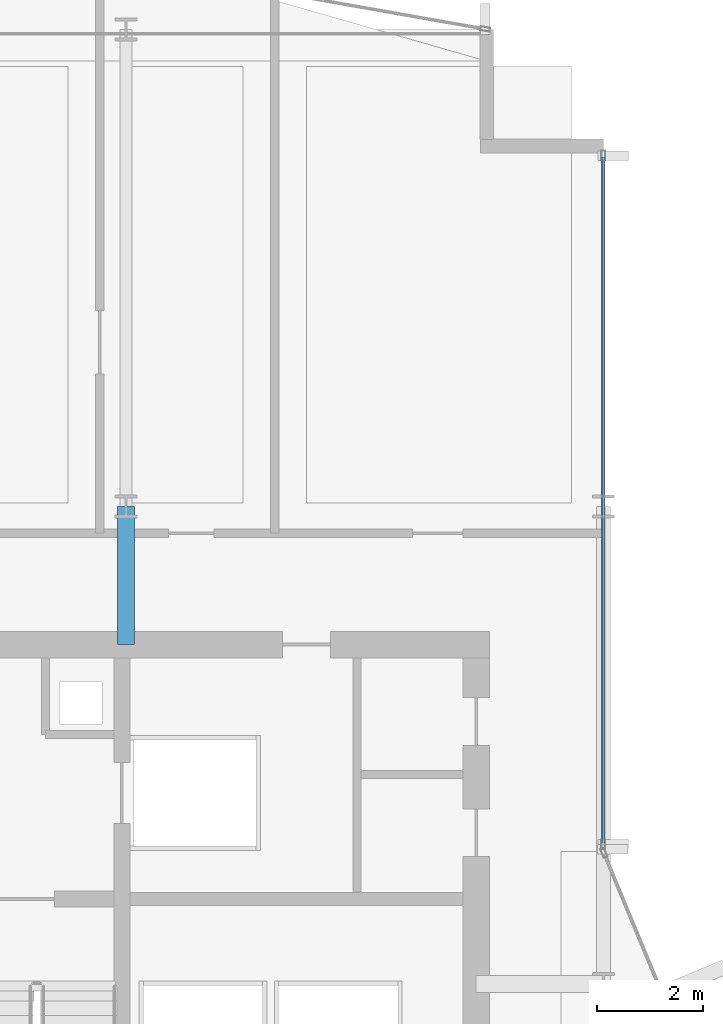
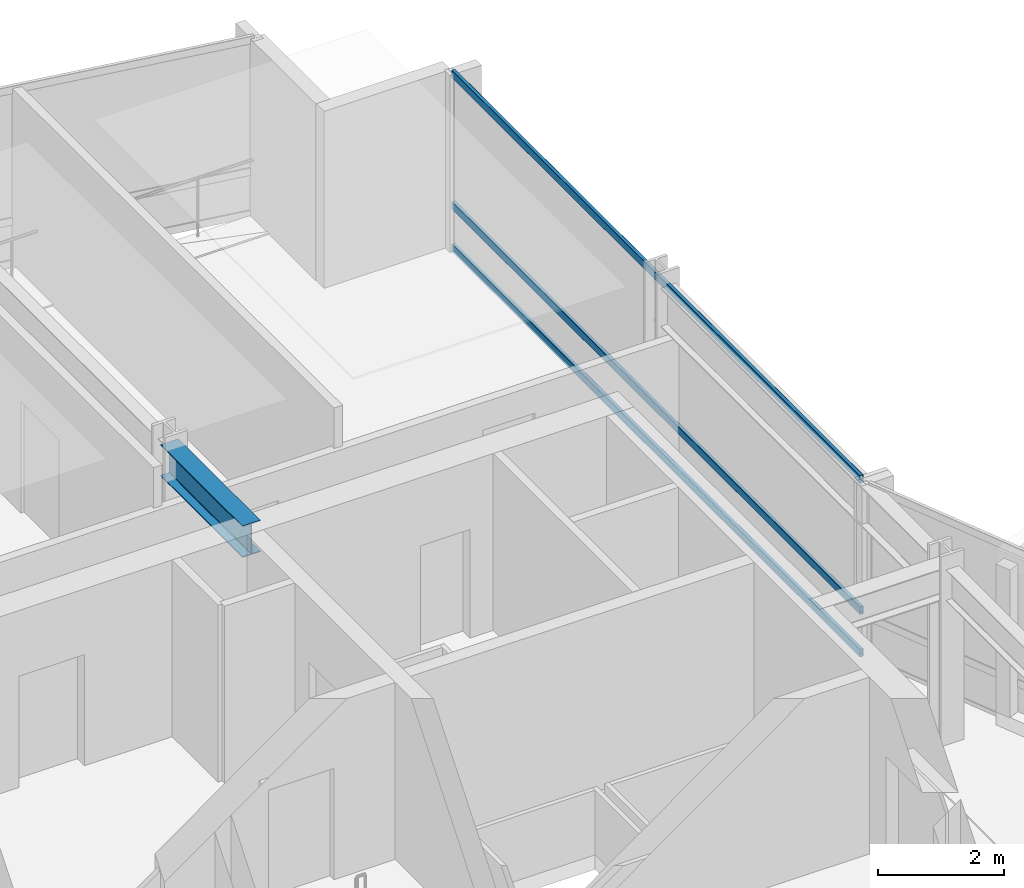
# One storey, part 18 of 29: 3 members, 1 beam, 1 element without a shape of its own.
"""IFC4 building model written with IfcOpenShell, lengths in metres."""

from ifc_helpers import new_model, si_unit, direction, frame, origin, origin_2d, place, context, subcontext, project, spatial, hollow_rectangle, i_section, extrude, material, layer, layer_set, material_profile, profile_set, type_object, element, aggregate, save


model = new_model("IFC4")

# Units and contexts
model_context = context("Model", 3, precision=1e-05, world=origin(), true_north=direction((0.0, 1.0)))
body_context = subcontext(model_context, "Body", "Model", "MODEL_VIEW")
ifc_project = project(units=[si_unit("LENGTHUNIT", "METRE"), si_unit("AREAUNIT", "SQUARE_METRE"), si_unit("VOLUMEUNIT", "CUBIC_METRE"), si_unit("PLANEANGLEUNIT", "RADIAN"), si_unit("MASSUNIT", "GRAM", prefix="KILO")], contexts=[model_context])

# Site, building, storey
site_placement = place(None, origin())
site = spatial("IfcSite", under=ifc_project, at=site_placement, CompositionType="ELEMENT")
building_placement = place(site_placement, origin())
building = spatial("IfcBuilding", under=site, at=building_placement, Name="Solvaryn Broadcast Tower", CompositionType="ELEMENT")
storey_placement = place(building_placement, frame((0.0, 0.0, 143.300048828125)))
storey = spatial("IfcBuildingStorey", under=building, at=storey_placement, Name="L35", CompositionType="ELEMENT", Elevation=143.300048828125)

# Beam
ifc_material_1 = material(Name="Steel ASTM A992 Grade 50", Category="steel")
ifc_material_profile_1 = material_profile(ifc_material_1, i_section(OverallWidth=0.323974609375, OverallDepth=0.611083984375, WebThickness=0.0126953125, FlangeThickness=0.01904296875, FilletRadius=0.014892578125, at=origin_2d()))
ifc_profile_set_1 = profile_set([ifc_material_profile_1], Name="Steel ASTM A992 Grade 50")
beam_type = type_object("IfcBeamType", Name="BM-B1-W24X104", PredefinedType="BEAM", material=ifc_profile_set_1)
beam_placement = place(storey_placement, frame((18.0, 42.39990234375, 3.114501953125), z_axis=(0.0, 1.0, 0.0), x_axis=(-1.0, 0.0, 0.0)))
element("IfcBeam", 1, at=beam_placement, inside=storey, type_object=beam_type, Name="L35 Core Tie Beam CTW3", PredefinedType="BEAM", context=body_context, shape_type="SweptSolid", body=[
    extrude(i_section(OverallWidth=0.323974609375, OverallDepth=0.611083984375, WebThickness=0.0126953125, FlangeThickness=0.01904296875, FilletRadius=0.014892578125, at=origin_2d()), origin(), (0.0, 0.0, 1.0), 2.60009765625),
])

# Curtain wall, members
ifc_material_2 = material(Name="Aluminium and Terracotta Unitised Curtain Wall", Category="masonry")
ifc_layer = layer(ifc_material_2, 0.199951171875)
ifc_layer_set = layer_set([ifc_layer], Name="CW-SYS2-LOWMID")
curtain_wall_type = type_object("IfcCurtainWallType", Name="CW-SYS2-LOWMID", PredefinedType="NOTDEFINED", material=ifc_layer_set)
curtain_wall_placement = place(storey_placement, origin())
curtain_wall = element("IfcCurtainWall", 2, at=curtain_wall_placement, inside=storey, type_object=curtain_wall_type, Name="L35 Curtain Wall IV", PredefinedType="NOTDEFINED")
ifc_material_3 = material(Name="Anodised Aluminium 6063-T6", Category="aluminium")
ifc_material_profile_2 = material_profile(ifc_material_3, hollow_rectangle(XDim=0.06494140625, YDim=0.14990234375, WallThickness=0.00390625, InnerFilletRadius=0.00390625, OuterFilletRadius=0.008056640625, at=origin_2d()))
ifc_profile_set_2 = profile_set([ifc_material_profile_2], Name="Anodised Aluminium 6063-T6")
member_type = type_object("IfcMemberType", Name="CW-TRN-150", PredefinedType="USERDEFINED", material=ifc_profile_set_2)
member_1_placement = place(storey_placement, frame((27.0, 51.590087890625, 0.030029296875), z_axis=(0.0, -1.0, 0.0), x_axis=(1.0, 0.0, 0.0)))
member_1 = element("IfcMember", 3, at=member_1_placement, type_object=member_type, Name="CWS2 transom 1.1", ObjectType="TRANSOM", PredefinedType="USERDEFINED", context=body_context, shape_type="SweptSolid", body=[
    extrude(hollow_rectangle(XDim=0.06494140625, YDim=0.14990234375, WallThickness=0.00390625, InnerFilletRadius=0.00390625, OuterFilletRadius=0.008056640625, at=origin_2d()), origin(), (0.0, 0.0, 1.0), 12.93017578125),
])
member_2_placement = place(storey_placement, frame((27.0, 51.590087890625, 0.849853515625), z_axis=(0.0, -1.0, 0.0), x_axis=(1.0, 0.0, 0.0)))
member_2 = element("IfcMember", 4, at=member_2_placement, type_object=member_type, Name="CWS2 transom 1.2", ObjectType="TRANSOM", PredefinedType="USERDEFINED", context=body_context, shape_type="SweptSolid", body=[
    extrude(hollow_rectangle(XDim=0.06494140625, YDim=0.14990234375, WallThickness=0.00390625, InnerFilletRadius=0.00390625, OuterFilletRadius=0.008056640625, at=origin_2d()), origin(), (0.0, 0.0, 1.0), 12.93017578125),
])
member_3_placement = place(storey_placement, frame((27.0, 51.590087890625, 3.389892578125), z_axis=(0.0, -1.0, 0.0), x_axis=(1.0, 0.0, 0.0)))
member_3 = element("IfcMember", 5, at=member_3_placement, type_object=member_type, Name="CWS2 transom 1.3", ObjectType="TRANSOM", PredefinedType="USERDEFINED", context=body_context, shape_type="SweptSolid", body=[
    extrude(hollow_rectangle(XDim=0.06494140625, YDim=0.14990234375, WallThickness=0.00390625, InnerFilletRadius=0.00390625, OuterFilletRadius=0.008056640625, at=origin_2d()), origin(), (0.0, 0.0, 1.0), 12.93017578125),
])
aggregate(curtain_wall, [member_1, member_2, member_3])

save(model, "model.ifc")
